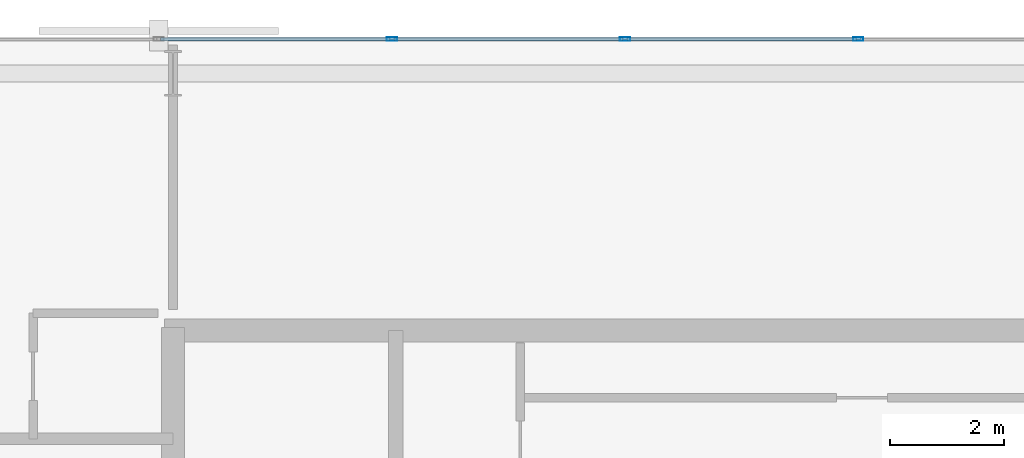
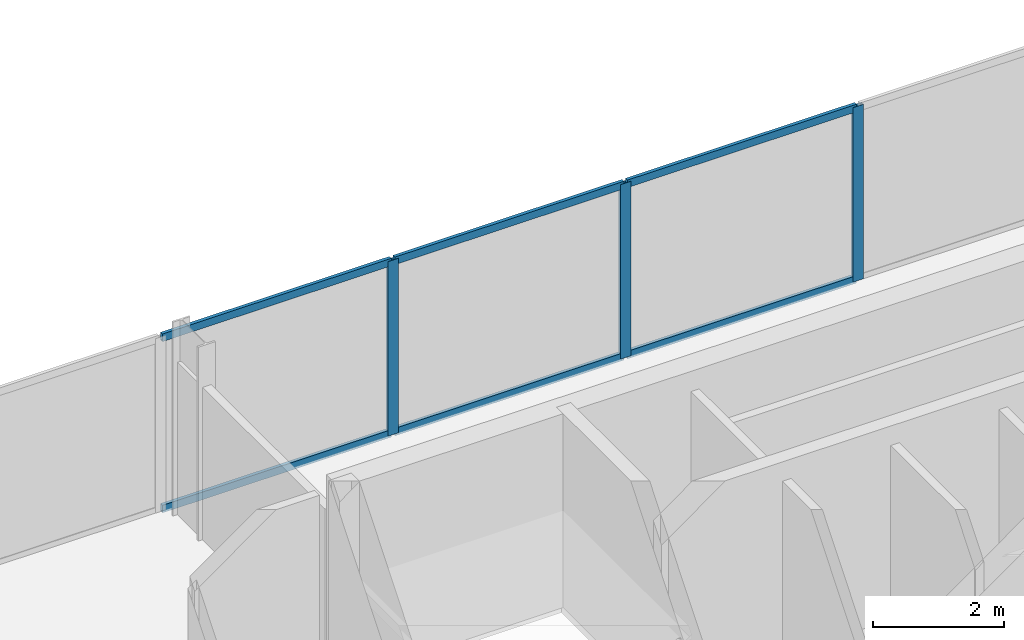
# One storey, part 23 of 33: 9 members, 1 element without a shape of its own.
"""IFC4 building model written with IfcOpenShell, lengths in metres."""

from ifc_helpers import new_model, si_unit, direction, frame, origin, origin_2d, place, context, subcontext, project, spatial, hollow_rectangle, extrude, material, layer, layer_set, material_profile, profile_set, type_object, element, aggregate, save


model = new_model("IFC4")

# Units and contexts
model_context = context("Model", 3, precision=1e-05, world=origin(), true_north=direction((0.0, 1.0)))
body_context = subcontext(model_context, "Body", "Model", "MODEL_VIEW")
ifc_project = project(units=[si_unit("LENGTHUNIT", "METRE"), si_unit("AREAUNIT", "SQUARE_METRE"), si_unit("VOLUMEUNIT", "CUBIC_METRE"), si_unit("PLANEANGLEUNIT", "RADIAN"), si_unit("MASSUNIT", "GRAM", prefix="KILO")], contexts=[model_context])

# Site, building, storey
site_placement = place(None, origin())
site = spatial("IfcSite", under=ifc_project, at=site_placement, CompositionType="ELEMENT")
building_placement = place(site_placement, origin())
building = spatial("IfcBuilding", under=site, at=building_placement, Name="Catumbela Crestline Tower", CompositionType="ELEMENT")
storey_placement = place(building_placement, frame((0.0, 0.0, 76.2)))
storey = spatial("IfcBuildingStorey", under=building, at=storey_placement, Name="L19", CompositionType="ELEMENT", Elevation=76.2)

# Curtain wall, members
ifc_material = material(Name="Aluminium alloy AW-6060-T66", Category="aluminium")
ifc_layer = layer(ifc_material, 0.18, Name="Aluminium alloy AW-6060-T66")
ifc_layer_set = layer_set([ifc_layer], Name="Aluminium alloy AW-6060-T66")
curtain_wall_type = type_object("IfcCurtainWallType", Name="CWU-Z1", PredefinedType="USERDEFINED", material=ifc_layer_set)
curtain_wall_placement = place(storey_placement, origin())
curtain_wall = element("IfcCurtainWall", 1, at=curtain_wall_placement, inside=storey, type_object=curtain_wall_type, Name="L19 Unitised Curtain Wall CW-L19-E7S1", ObjectType="UNITISED", PredefinedType="USERDEFINED")
ifc_material_profile_1 = material_profile(ifc_material, hollow_rectangle(XDim=0.065, YDim=0.18, WallThickness=0.004, at=origin_2d()), Name="ALU 180x65x4")
ifc_profile_set_1 = profile_set([ifc_material_profile_1], Name="Aluminium alloy AW-6060-T66")
member_type_1 = type_object("IfcMemberType", Name="MUL-180X65", PredefinedType="MULLION", material=ifc_profile_set_1)
member_1_placement = place(storey_placement, frame((28.0, 48.0, 0.0), z_axis=(0.0, 0.0, 1.0), x_axis=(0.0, -1.0, 0.0)))
member_1 = element("IfcMember", 2, at=member_1_placement, type_object=member_type_1, Name="CWU-Z1 mullion 7", PredefinedType="MULLION", context=body_context, shape_type="SweptSolid", body=[
    extrude(hollow_rectangle(XDim=0.065, YDim=0.18, WallThickness=0.004, at=origin_2d()), origin(), (0.0, 0.0, 1.0), 3.24),
])
member_2_placement = place(storey_placement, frame((23.9167, 48.0, 0.0), z_axis=(0.0, 0.0, 1.0), x_axis=(0.0, -1.0, 0.0)))
member_2 = element("IfcMember", 3, at=member_2_placement, type_object=member_type_1, Name="CWU-Z1 mullion 8", PredefinedType="MULLION", context=body_context, shape_type="SweptSolid", body=[
    extrude(hollow_rectangle(XDim=0.065, YDim=0.18, WallThickness=0.004, at=origin_2d()), origin(), (0.0, 0.0, 1.0), 3.24),
])
member_3_placement = place(storey_placement, frame((19.8333, 48.0, 0.0), z_axis=(0.0, 0.0, 1.0), x_axis=(0.0, -1.0, 0.0)))
member_3 = element("IfcMember", 4, at=member_3_placement, type_object=member_type_1, Name="CWU-Z1 mullion 9", PredefinedType="MULLION", context=body_context, shape_type="SweptSolid", body=[
    extrude(hollow_rectangle(XDim=0.065, YDim=0.18, WallThickness=0.004, at=origin_2d()), origin(), (0.0, 0.0, 1.0), 3.24),
])
ifc_material_profile_2 = material_profile(ifc_material, hollow_rectangle(XDim=0.06, YDim=0.14, WallThickness=0.004, at=origin_2d()), Name="ALU 140x60x4")
ifc_profile_set_2 = profile_set([ifc_material_profile_2], Name="Aluminium alloy AW-6060-T66")
member_type_2 = type_object("IfcMemberType", Name="TRN-140X60", PredefinedType="USERDEFINED", material=ifc_profile_set_2)
member_4_placement = place(storey_placement, frame((27.9675, 48.0, 0.03), z_axis=(-1.0, 0.0, 0.0), x_axis=(0.0, -1.0, 0.0)))
member_4 = element("IfcMember", 5, at=member_4_placement, type_object=member_type_2, Name="CWU-Z1 transom 7.1", ObjectType="TRANSOM", PredefinedType="USERDEFINED", context=body_context, shape_type="SweptSolid", body=[
    extrude(hollow_rectangle(XDim=0.06, YDim=0.14, WallThickness=0.004, at=origin_2d()), origin(), (0.0, 0.0, 1.0), 4.0183),
])
member_5_placement = place(storey_placement, frame((27.9675, 48.0, 3.21), z_axis=(-1.0, 0.0, 0.0), x_axis=(0.0, -1.0, 0.0)))
member_5 = element("IfcMember", 6, at=member_5_placement, type_object=member_type_2, Name="CWU-Z1 transom 7.2", ObjectType="TRANSOM", PredefinedType="USERDEFINED", context=body_context, shape_type="SweptSolid", body=[
    extrude(hollow_rectangle(XDim=0.06, YDim=0.14, WallThickness=0.004, at=origin_2d()), origin(), (0.0, 0.0, 1.0), 4.0183),
])
member_6_placement = place(storey_placement, frame((23.8842, 48.0, 0.03), z_axis=(-1.0, 0.0, 0.0), x_axis=(0.0, -1.0, 0.0)))
member_6 = element("IfcMember", 7, at=member_6_placement, type_object=member_type_2, Name="CWU-Z1 transom 8.1", ObjectType="TRANSOM", PredefinedType="USERDEFINED", context=body_context, shape_type="SweptSolid", body=[
    extrude(hollow_rectangle(XDim=0.06, YDim=0.14, WallThickness=0.004, at=origin_2d()), origin(), (0.0, 0.0, 1.0), 4.0184),
])
member_7_placement = place(storey_placement, frame((23.8842, 48.0, 3.21), z_axis=(-1.0, 0.0, 0.0), x_axis=(0.0, -1.0, 0.0)))
member_7 = element("IfcMember", 8, at=member_7_placement, type_object=member_type_2, Name="CWU-Z1 transom 8.2", ObjectType="TRANSOM", PredefinedType="USERDEFINED", context=body_context, shape_type="SweptSolid", body=[
    extrude(hollow_rectangle(XDim=0.06, YDim=0.14, WallThickness=0.004, at=origin_2d()), origin(), (0.0, 0.0, 1.0), 4.0184),
])
member_8_placement = place(storey_placement, frame((19.8008, 48.0, 0.03), z_axis=(-1.0, 0.0, 0.0), x_axis=(0.0, -1.0, 0.0)))
member_8 = element("IfcMember", 9, at=member_8_placement, type_object=member_type_2, Name="CWU-Z1 transom 9.1", ObjectType="TRANSOM", PredefinedType="USERDEFINED", context=body_context, shape_type="SweptSolid", body=[
    extrude(hollow_rectangle(XDim=0.06, YDim=0.14, WallThickness=0.004, at=origin_2d()), origin(), (0.0, 0.0, 1.0), 4.0183),
])
member_9_placement = place(storey_placement, frame((19.8008, 48.0, 3.21), z_axis=(-1.0, 0.0, 0.0), x_axis=(0.0, -1.0, 0.0)))
member_9 = element("IfcMember", 10, at=member_9_placement, type_object=member_type_2, Name="CWU-Z1 transom 9.2", ObjectType="TRANSOM", PredefinedType="USERDEFINED", context=body_context, shape_type="SweptSolid", body=[
    extrude(hollow_rectangle(XDim=0.06, YDim=0.14, WallThickness=0.004, at=origin_2d()), origin(), (0.0, 0.0, 1.0), 4.0183),
])
aggregate(curtain_wall, [member_1, member_2, member_3, member_4, member_5, member_6, member_7, member_8, member_9])

save(model, "model.ifc")
